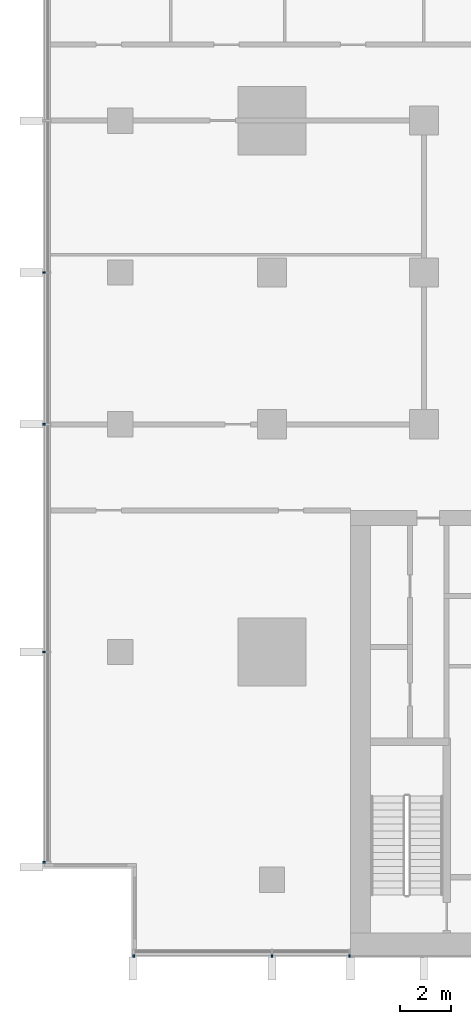
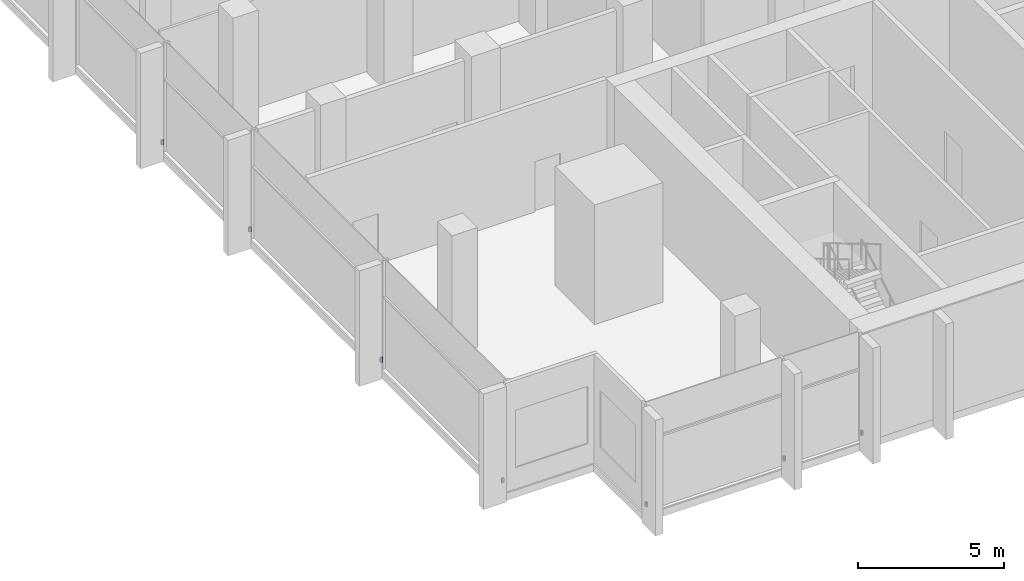
# One storey, part 11 of 15: 7 discrete accessories.
"""IFC4 building model written with IfcOpenShell, lengths in metres."""

from ifc_helpers import new_model, si_unit, direction, frame, origin, origin_2d, place, context, subcontext, project, spatial, rectangle, extrude, material, type_object, element, save


model = new_model("IFC4")

# Units and contexts
model_context = context("Model", 3, precision=1e-05, world=origin(), true_north=direction((0.0, 1.0)))
body_context = subcontext(model_context, "Body", "Model", "MODEL_VIEW")
ifc_project = project(units=[si_unit("LENGTHUNIT", "METRE"), si_unit("AREAUNIT", "SQUARE_METRE"), si_unit("VOLUMEUNIT", "CUBIC_METRE"), si_unit("PLANEANGLEUNIT", "RADIAN"), si_unit("MASSUNIT", "GRAM", prefix="KILO")], contexts=[model_context])

# Site, building, storey
site_placement = place(None, origin())
site = spatial("IfcSite", under=ifc_project, at=site_placement, CompositionType="ELEMENT")
building_placement = place(site_placement, origin())
building = spatial("IfcBuilding", under=site, at=building_placement, Name="Finial Court Residences", CompositionType="ELEMENT")
storey_placement = place(building_placement, frame((0.0, 0.0, 138.89990234375)))
storey = spatial("IfcBuildingStorey", under=building, at=storey_placement, Name="L34", CompositionType="ELEMENT", Elevation=138.89990234375)

# Discrete accessories
ifc_material = material(Name="Stainless steel 316", Category="steel")
discrete_accessory_type = type_object("IfcDiscreteAccessoryType", Name="Fin bracket, stainless steel 75 x 98 x 200", PredefinedType="BRACKET", material=ifc_material)
for number, where, z_axis, x_axis, name in (
    (1, (-21.96240234375, -25.51123046875, 0.30029296875), (0.0, 0.0, 1.0), (1.0, 0.0, 0.0), "E-L34-FIN-S16-BRK"),
    (2, (-16.5, -25.51123046875, 0.30029296875), (0.0, 0.0, 1.0), (1.0, 0.0, 0.0), "E-L34-FIN-S17-BRK"),
    (3, (-13.4375, -25.51123046875, 0.30029296875), (0.0, 0.0, 1.0), (1.0, 0.0, 0.0), "E-L34-FIN-S18-BRK"),
):
    element("IfcDiscreteAccessory", number, at=place(storey_placement, frame(where, z_axis=z_axis, x_axis=x_axis)), inside=storey, type_object=discrete_accessory_type, Name=name, PredefinedType="BRACKET", context=body_context, shape_type="SweptSolid", body=[
        extrude(rectangle(XDim=0.074951171875, YDim=0.097412109375, at=origin_2d()), origin(), (0.0, 0.0, 1.0), 0.199951171875),
    ])
for number, where, z_axis, x_axis, name in (
    (4, (-25.51123046875, -21.8125, 0.30029296875), (0.0, 0.0, 1.0), (1.0, 0.0, 0.0), "E-L34-FIN-W26-BRK"),
    (5, (-25.51123046875, -13.5, 0.30029296875), (0.0, 0.0, 1.0), (1.0, 0.0, 0.0), "E-L34-FIN-W27-BRK"),
    (6, (-25.51123046875, -4.5, 0.30029296875), (0.0, 0.0, 1.0), (1.0, 0.0, 0.0), "E-L34-FIN-W28-BRK"),
    (7, (-25.51123046875, 1.5, 0.30029296875), (0.0, 0.0, 1.0), (1.0, 0.0, 0.0), "E-L34-FIN-W29-BRK"),
):
    element("IfcDiscreteAccessory", number, at=place(storey_placement, frame(where, z_axis=z_axis, x_axis=x_axis)), inside=storey, type_object=discrete_accessory_type, Name=name, PredefinedType="BRACKET", context=body_context, shape_type="SweptSolid", body=[
        extrude(rectangle(XDim=0.097412109375, YDim=0.074951171875, at=origin_2d()), origin(), (0.0, 0.0, 1.0), 0.199951171875),
    ])

save(model, "model.ifc")
